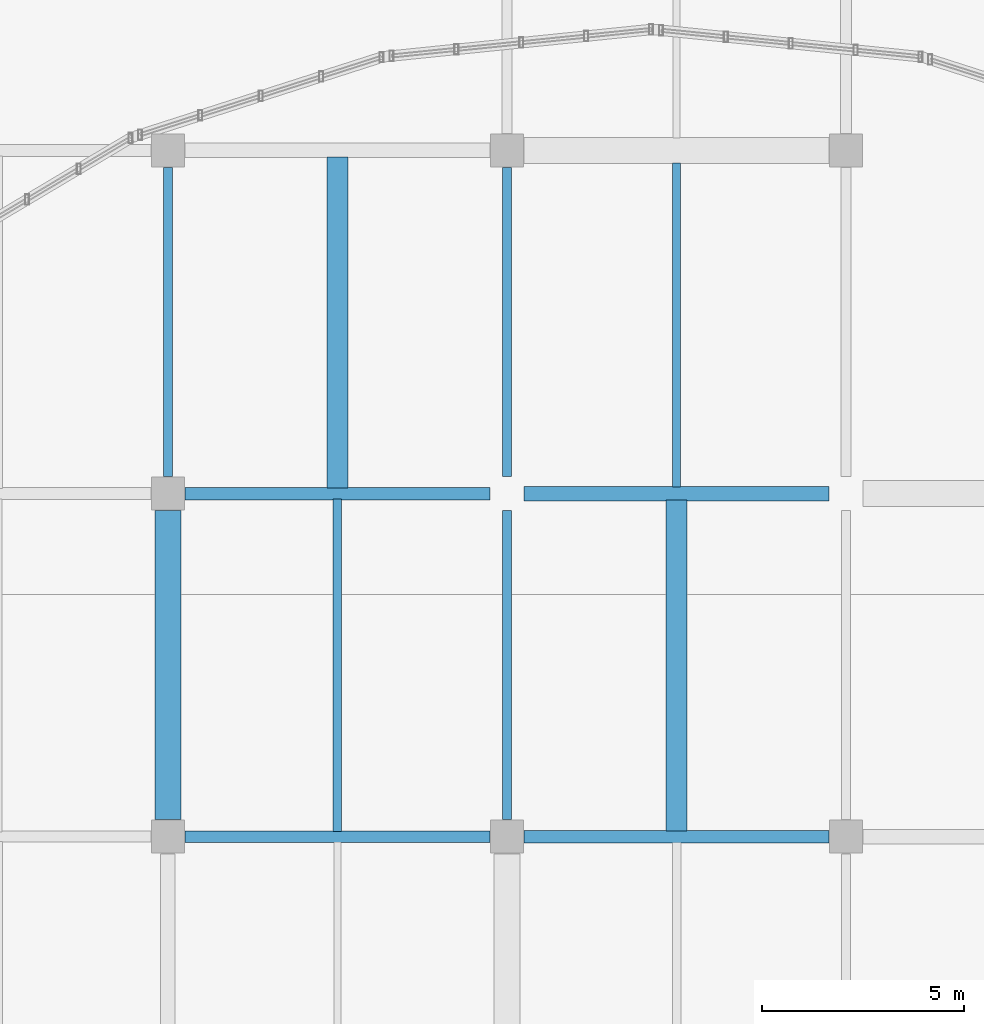
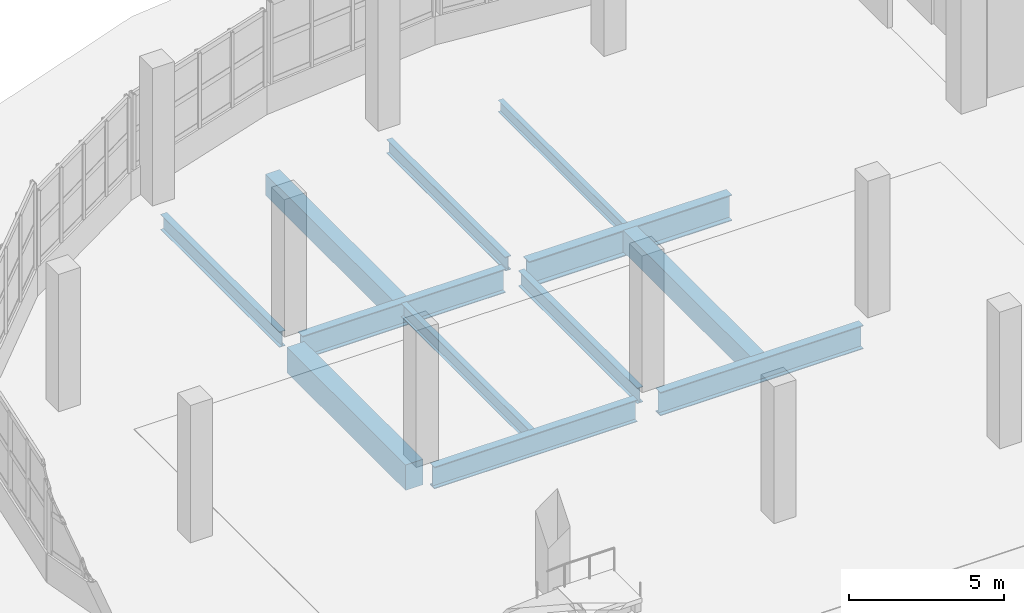
# One storey, part 10 of 107: 12 beams.
"""IFC4 building model written with IfcOpenShell, lengths in metres."""

from ifc_helpers import new_model, si_unit, direction, frame, origin, origin_2d, place, context, subcontext, project, spatial, rectangle, i_section, extrude, material, material_profile, profile_set, type_object, element, save


model = new_model("IFC4")

# Units and contexts
model_context = context("Model", 3, precision=1e-05, world=origin(), true_north=direction((0.0, 1.0)))
body_context = subcontext(model_context, "Body", "Model", "MODEL_VIEW")
ifc_project = project(units=[si_unit("LENGTHUNIT", "METRE"), si_unit("AREAUNIT", "SQUARE_METRE"), si_unit("VOLUMEUNIT", "CUBIC_METRE"), si_unit("PLANEANGLEUNIT", "RADIAN"), si_unit("MASSUNIT", "GRAM", prefix="KILO")], contexts=[model_context])

# Site, building, storey
site_placement = place(None, origin())
site = spatial("IfcSite", under=ifc_project, at=site_placement, CompositionType="ELEMENT")
building_placement = place(site_placement, origin())
building = spatial("IfcBuilding", under=site, at=building_placement, Name="Solvento Point Concert Hall", CompositionType="ELEMENT")
storey_placement = place(building_placement, origin())
storey = spatial("IfcBuildingStorey", under=building, at=storey_placement, Name="L00", CompositionType="ELEMENT", Elevation=0.0)

# Beams
ifc_material_1 = material(Name="Concrete C35/45", Category="concrete")
ifc_material_profile_1 = material_profile(ifc_material_1, rectangle(XDim=0.52001953125, YDim=0.840087890625, at=origin_2d()), Name="RC-BM-520X840")
ifc_profile_set_1 = profile_set([ifc_material_profile_1], Name="Concrete C35/45")
beam_type_1 = type_object("IfcBeamType", Name="Beam_RC_520x840", PredefinedType="BEAM", material=ifc_profile_set_1)
for number, where, z_axis, x_axis, name in (
    (1, (53.39990234375, 42.638916015625, -0.833984375), (0.0, 1.0, 0.0), (-1.0, 0.0, 0.0), "Secondary floor joist B-54 L00"),
    (2, (61.800048828125, 34.138916015625, -0.833984375), (0.0, 1.0, 0.0), (-1.0, 0.0, 0.0), "Secondary floor joist B-54 L00"),
):
    element("IfcBeam", number, at=place(storey_placement, frame(where, z_axis=z_axis, x_axis=x_axis)), inside=storey, type_object=beam_type_1, Name=name, PredefinedType="BEAM", context=body_context, shape_type="SweptSolid", body=[
        extrude(rectangle(XDim=0.52001953125, YDim=0.840087890625, at=origin_2d()), origin(), (0.0, 0.0, 1.0), 8.195556640625),
    ])
ifc_material_2 = material(Name="Structural Steel ASTM A992 Grade 50", Category="steel")
ifc_material_profile_2 = material_profile(ifc_material_2, i_section(OverallWidth=0.20947265625, OverallDepth=0.532958984375, WebThickness=0.01025390625, FlangeThickness=0.015625, at=origin_2d()), Name="W21X62")
ifc_profile_set_2 = profile_set([ifc_material_profile_2], Name="Structural Steel ASTM A992 Grade 50")
beam_type_2 = type_object("IfcBeamType", Name="Beam_W21X62", PredefinedType="BEAM", material=ifc_profile_set_2)
beam_1_placement = place(storey_placement, frame((53.39990234375, 34.131103515625, -0.680419921875), z_axis=(0.0, 1.0, 0.0), x_axis=(-1.0, 0.0, 0.0)))
element("IfcBeam", 3, at=beam_1_placement, inside=storey, type_object=beam_type_2, Name="Secondary floor joist B-25 L00", PredefinedType="BEAM", context=body_context, shape_type="SweptSolid", body=[
    extrude(i_section(OverallWidth=0.20947265625, OverallDepth=0.532958984375, WebThickness=0.01025390625, FlangeThickness=0.015625, at=origin_2d()), origin(), (0.0, 0.0, 1.0), 8.22998046875),
])
ifc_material_3 = material(Name="Structural Steel ASTM A992 Grade 50", Category="steel")
ifc_material_profile_3 = material_profile(ifc_material_3, i_section(OverallWidth=0.214111328125, OverallDepth=0.549072265625, WebThickness=0.0146484375, FlangeThickness=0.023681640625, at=origin_2d()), Name="W21X93")
ifc_profile_set_3 = profile_set([ifc_material_profile_3], Name="Structural Steel ASTM A992 Grade 50")
beam_type_3 = type_object("IfcBeamType", Name="Beam_W21X93", PredefinedType="BEAM", material=ifc_profile_set_3)
beam_2_placement = place(storey_placement, frame((57.60009765625, 42.924072265625, -0.6884765625), z_axis=(0.0, 1.0, 0.0), x_axis=(-1.0, 0.0, 0.0)))
element("IfcBeam", 4, at=beam_2_placement, inside=storey, type_object=beam_type_3, Name="Primary girder B-48 L00", PredefinedType="BEAM", context=body_context, shape_type="SweptSolid", body=[
    extrude(i_section(OverallWidth=0.214111328125, OverallDepth=0.549072265625, WebThickness=0.0146484375, FlangeThickness=0.023681640625, at=origin_2d()), origin(), (0.0, 0.0, 1.0), 7.65185546875),
])
ifc_material_4 = material(Name="Structural Steel ASTM A992 Grade 50", Category="steel")
ifc_material_profile_4 = material_profile(ifc_material_4, i_section(OverallWidth=0.228515625, OverallDepth=0.60791015625, WebThickness=0.01123046875, FlangeThickness=0.017333984375, at=origin_2d()), Name="W24X76")
ifc_profile_set_4 = profile_set([ifc_material_profile_4], Name="Structural Steel ASTM A992 Grade 50")
beam_type_4 = type_object("IfcBeamType", Name="Beam_W24X76", PredefinedType="BEAM", material=ifc_profile_set_4)
for number, where, z_axis, x_axis, name in (
    (5, (49.199951171875, 42.924072265625, -0.718017578125), (0.0, 1.0, 0.0), (-1.0, 0.0, 0.0), "Primary girder B-42 L00"),
    (6, (57.60009765625, 34.424072265625, -0.718017578125), (0.0, 1.0, 0.0), (-1.0, 0.0, 0.0), "Primary girder B-42 L00"),
):
    element("IfcBeam", number, at=place(storey_placement, frame(where, z_axis=z_axis, x_axis=x_axis)), inside=storey, type_object=beam_type_4, Name=name, PredefinedType="BEAM", context=body_context, shape_type="SweptSolid", body=[
        extrude(i_section(OverallWidth=0.228515625, OverallDepth=0.60791015625, WebThickness=0.01123046875, FlangeThickness=0.017333984375, at=origin_2d()), origin(), (0.0, 0.0, 1.0), 7.65185546875),
    ])
ifc_material_5 = material(Name="Concrete C35/45", Category="concrete")
ifc_material_profile_5 = material_profile(ifc_material_5, rectangle(XDim=0.64990234375, YDim=1.0, at=origin_2d()), Name="RC-BM-650X1000")
ifc_profile_set_5 = profile_set([ifc_material_profile_5], Name="Concrete C35/45")
beam_type_5 = type_object("IfcBeamType", Name="Girder_RC_650x1000", PredefinedType="USERDEFINED", material=ifc_profile_set_5)
beam_3_placement = place(storey_placement, frame((49.199951171875, 34.424072265625, -0.9140625), z_axis=(0.0, 1.0, 0.0), x_axis=(-1.0, 0.0, 0.0)))
element("IfcBeam", 7, at=beam_3_placement, inside=storey, type_object=beam_type_5, Name="Primary girder B-67 L00", ObjectType="GIRDER", PredefinedType="USERDEFINED", context=body_context, shape_type="SweptSolid", body=[
    extrude(rectangle(XDim=0.64990234375, YDim=1.0, at=origin_2d()), origin(), (0.0, 0.0, 1.0), 7.65185546875),
])
ifc_material_6 = material(Name="Structural Steel ASTM A992 Grade 50", Category="steel")
ifc_material_profile_6 = material_profile(ifc_material_6, i_section(OverallWidth=0.2919921875, OverallDepth=0.85888671875, WebThickness=0.01708984375, FlangeThickness=0.031005859375, at=origin_2d()), Name="W33X169")
ifc_profile_set_6 = profile_set([ifc_material_profile_6], Name="Structural Steel ASTM A992 Grade 50")
beam_type_6 = type_object("IfcBeamType", Name="Girder_W33X169", PredefinedType="USERDEFINED", material=ifc_profile_set_6)
beam_4_placement = place(storey_placement, frame((49.6240234375, 34.0, -0.843505859375), z_axis=(1.0, 0.0, 0.0), x_axis=(0.0, 1.0, 0.0)))
element("IfcBeam", 8, at=beam_4_placement, inside=storey, type_object=beam_type_6, Name="Primary girder B-33 L00", ObjectType="GIRDER", PredefinedType="USERDEFINED", context=body_context, shape_type="SweptSolid", body=[
    extrude(i_section(OverallWidth=0.2919921875, OverallDepth=0.85888671875, WebThickness=0.01708984375, FlangeThickness=0.031005859375, at=origin_2d()), origin(), (0.0, 0.0, 1.0), 7.552001953125),
])
ifc_material_7 = material(Name="Structural Steel ASTM A992 Grade 50", Category="steel")
ifc_material_profile_7 = material_profile(ifc_material_7, i_section(OverallWidth=0.3076171875, OverallDepth=0.927001953125, WebThickness=0.019287109375, FlangeThickness=0.031982421875, at=origin_2d()), Name="W36X194")
ifc_profile_set_7 = profile_set([ifc_material_profile_7], Name="Structural Steel ASTM A992 Grade 50")
beam_type_7 = type_object("IfcBeamType", Name="Girder_W36X194", PredefinedType="USERDEFINED", material=ifc_profile_set_7)
for number, where, z_axis, x_axis, name in (
    (9, (58.02392578125, 34.0, -0.87744140625), (1.0, 0.0, 0.0), (0.0, 1.0, 0.0), "Primary girder B-61 L00"),
    (10, (49.6240234375, 42.5, -0.87744140625), (1.0, 0.0, 0.0), (0.0, 1.0, 0.0), "Primary girder B-61 L00"),
):
    element("IfcBeam", number, at=place(storey_placement, frame(where, z_axis=z_axis, x_axis=x_axis)), inside=storey, type_object=beam_type_7, Name=name, ObjectType="GIRDER", PredefinedType="USERDEFINED", context=body_context, shape_type="SweptSolid", body=[
        extrude(i_section(OverallWidth=0.3076171875, OverallDepth=0.927001953125, WebThickness=0.019287109375, FlangeThickness=0.031982421875, at=origin_2d()), origin(), (0.0, 0.0, 1.0), 7.552001953125),
    ])
ifc_material_8 = material(Name="Structural Steel ASTM A992 Grade 50", Category="steel")
ifc_material_profile_8 = material_profile(ifc_material_8, i_section(OverallWidth=0.361083984375, OverallDepth=1.02587890625, WebThickness=0.01904296875, FlangeThickness=0.0361328125, at=origin_2d()), Name="W40X249")
ifc_profile_set_8 = profile_set([ifc_material_profile_8], Name="Structural Steel ASTM A992 Grade 50")
beam_type_8 = type_object("IfcBeamType", Name="Girder_W40X249", PredefinedType="USERDEFINED", material=ifc_profile_set_8)
beam_5_placement = place(storey_placement, frame((58.02392578125, 42.5, -0.927001953125), z_axis=(1.0, 0.0, 0.0), x_axis=(0.0, 1.0, 0.0)))
element("IfcBeam", 11, at=beam_5_placement, inside=storey, type_object=beam_type_8, Name="Primary girder B-29 L00", ObjectType="GIRDER", PredefinedType="USERDEFINED", context=body_context, shape_type="SweptSolid", body=[
    extrude(i_section(OverallWidth=0.361083984375, OverallDepth=1.02587890625, WebThickness=0.01904296875, FlangeThickness=0.0361328125, at=origin_2d()), origin(), (0.0, 0.0, 1.0), 7.552001953125),
])
ifc_material_9 = material(Name="Structural Steel ASTM A992 Grade 50", Category="steel")
ifc_material_profile_9 = material_profile(ifc_material_9, i_section(OverallWidth=0.1904296875, OverallDepth=0.45703125, WebThickness=0.009033203125, FlangeThickness=0.014404296875, at=origin_2d()), Name="W18X50")
ifc_profile_set_9 = profile_set([ifc_material_profile_9], Name="Structural Steel ASTM A992 Grade 50")
beam_type_9 = type_object("IfcBeamType", Name="Joist_W18X50", PredefinedType="JOIST", material=ifc_profile_set_9)
beam_6_placement = place(storey_placement, frame((61.800048828125, 42.66552734375, -0.642578125), z_axis=(0.0, 1.0, 0.0), x_axis=(-1.0, 0.0, 0.0)))
element("IfcBeam", 12, at=beam_6_placement, inside=storey, type_object=beam_type_9, Name="Secondary floor joist B-66 L00", PredefinedType="JOIST", context=body_context, shape_type="SweptSolid", body=[
    extrude(i_section(OverallWidth=0.1904296875, OverallDepth=0.45703125, WebThickness=0.009033203125, FlangeThickness=0.014404296875, at=origin_2d()), origin(), (0.0, 0.0, 1.0), 8.0244140625),
])

save(model, "model.ifc")
